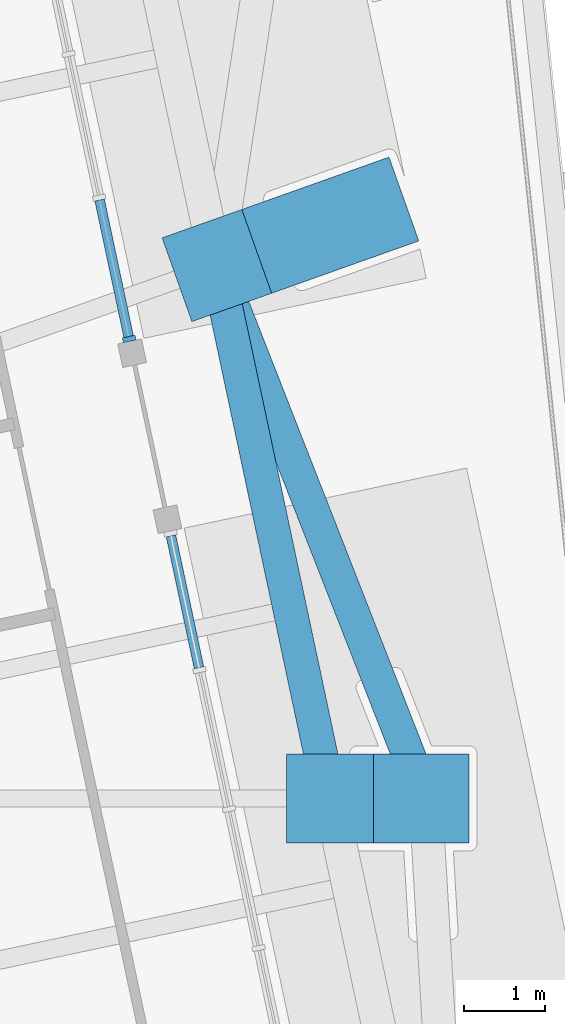
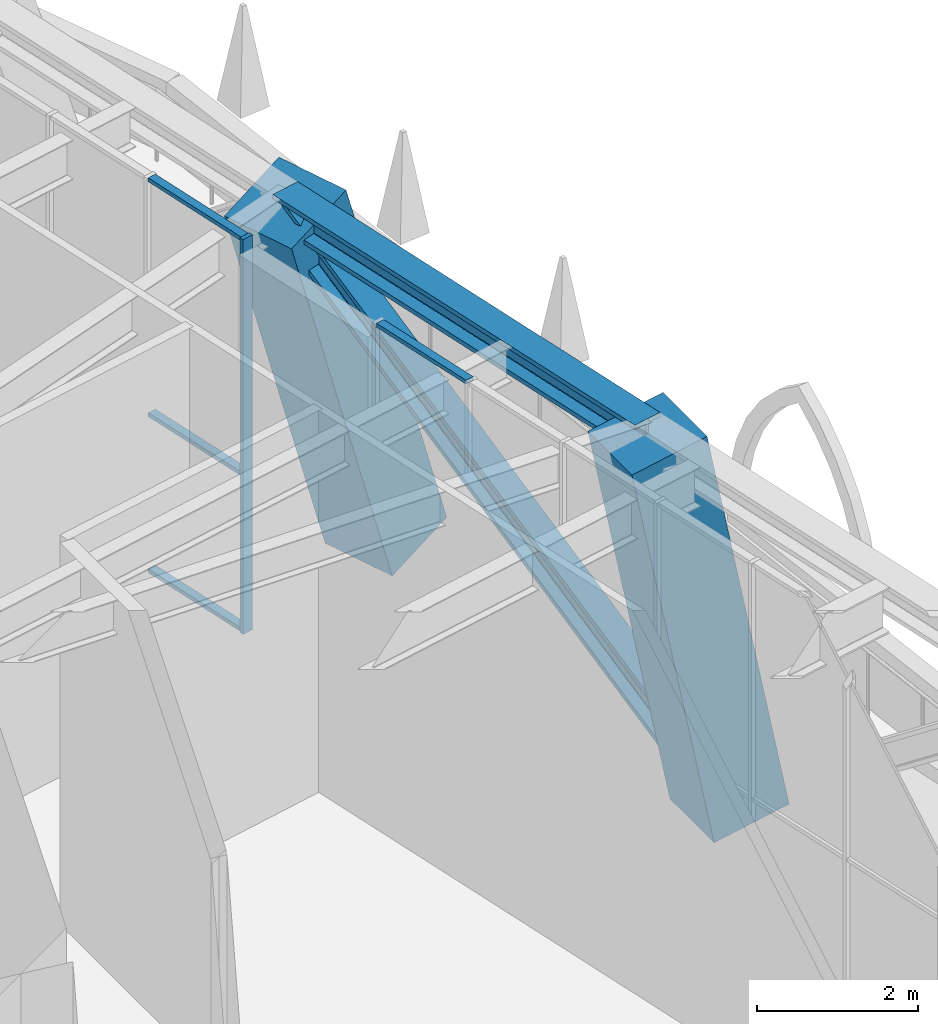
# One storey, part 7 of 23: 9 members, 2 elements without a shape of their own.
"""IFC4 building model written with IfcOpenShell, lengths in metres."""

from ifc_helpers import new_model, si_unit, direction, frame, origin, origin_2d, place, context, subcontext, project, spatial, rectangle, i_section, extrude, material, material_profile, profile_set, type_object, element, aggregate, save


model = new_model("IFC4")

# Units and contexts
model_context = context("Model", 3, precision=1e-05, world=origin(), true_north=direction((0.0, 1.0)))
body_context = subcontext(model_context, "Body", "Model", "MODEL_VIEW")
ifc_project = project(units=[si_unit("LENGTHUNIT", "METRE"), si_unit("AREAUNIT", "SQUARE_METRE"), si_unit("VOLUMEUNIT", "CUBIC_METRE"), si_unit("PLANEANGLEUNIT", "RADIAN"), si_unit("MASSUNIT", "GRAM", prefix="KILO")], contexts=[model_context])

# Site, building, storey
site_placement = place(None, origin())
site = spatial("IfcSite", under=ifc_project, at=site_placement, CompositionType="ELEMENT")
building_placement = place(site_placement, origin())
building = spatial("IfcBuilding", under=site, at=building_placement, Name="Nakasero Lantern House", CompositionType="ELEMENT")
storey_placement = place(building_placement, frame((0.0, 0.0, 95.14990234375)))
storey = spatial("IfcBuildingStorey", under=building, at=storey_placement, Name="L23", CompositionType="ELEMENT", Elevation=95.14990234375)

# Members
ifc_material_1 = material(Name="Steel S355", Category="steel")
ifc_material_profile_1 = material_profile(ifc_material_1, i_section(OverallWidth=0.41845703125, OverallDepth=0.45556640625, WebThickness=0.0419921875, FlangeThickness=0.0673828125, FilletRadius=0.01513671875, at=origin_2d()), Name="UC 356x406x551")
ifc_profile_set_1 = profile_set([ifc_material_profile_1], Name="Steel S355")
member_type_1 = type_object("IfcMemberType", Name="Belt truss chord UC 356x406x551", PredefinedType="CHORD", material=ifc_profile_set_1)
member_1_placement = place(storey_placement, frame((19.935546875, 0.0, 5.572265625), z_axis=(-0.20789299389, 0.978151574702, 0.0), x_axis=(-0.978151574702, -0.20789299389, 0.0)))
element("IfcMember", 1, at=member_1_placement, inside=storey, type_object=member_type_1, Name="Belt truss top chord T2 B3-C03T", PredefinedType="CHORD", context=body_context, shape_type="SweptSolid", body=[
    extrude(i_section(OverallWidth=0.41845703125, OverallDepth=0.45556640625, WebThickness=0.0419921875, FlangeThickness=0.0673828125, FilletRadius=0.01513671875, at=origin_2d()), origin(), (0.0, 0.0, 1.0), 6.7373046875),
])
ifc_material_2 = material(Name="Steel S355", Category="steel")
ifc_material_profile_2 = material_profile(ifc_material_2, i_section(OverallWidth=0.412109375, OverallDepth=0.4365234375, WebThickness=0.035888671875, FlangeThickness=0.05810546875, FilletRadius=0.01513671875, at=origin_2d()), Name="UC 356x406x467")
ifc_profile_set_2 = profile_set([ifc_material_profile_2], Name="Steel S355")
member_type_2 = type_object("IfcMemberType", Name="Belt truss diagonal UC 356x406x467", PredefinedType="BRACE", material=ifc_profile_set_2)
member_2_placement = place(storey_placement, frame((21.11572265625, 0.0, -0.427734375), z_axis=(-0.278150708675, 0.710256558439, 0.646658955292), x_axis=(-0.931142989974, -0.364654263958, 0.0)))
element("IfcMember", 2, at=member_2_placement, inside=storey, type_object=member_type_2, Name="Belt truss diagonal T2-03", PredefinedType="BRACE", context=body_context, shape_type="SweptSolid", body=[
    extrude(i_section(OverallWidth=0.412109375, OverallDepth=0.4365234375, WebThickness=0.035888671875, FlangeThickness=0.05810546875, FilletRadius=0.01513671875, at=origin_2d()), origin(), (0.0, 0.0, 1.0), 9.278564453125),
])

# Curtain wall, member
ifc_material_3 = material(Name="Aluminium 6063-T6 and glass", Category="aluminium")
curtain_wall_type = type_object("IfcCurtainWallType", Name="Sky lounge glazing CW-3", PredefinedType="USERDEFINED", material=ifc_material_3)
curtain_wall_1_placement = place(storey_placement, origin())
curtain_wall_1 = element("IfcCurtainWall", 3, at=curtain_wall_1_placement, inside=storey, type_object=curtain_wall_type, Name="Curtain wall CW-3 L23", ObjectType="STICK CURTAIN WALL", PredefinedType="USERDEFINED")
ifc_material_4 = material(Name="Aluminium 6063-T6", Category="aluminium")
ifc_material_profile_3 = material_profile(ifc_material_4, rectangle(XDim=0.06005859375, YDim=0.159912109375, at=origin_2d()), Name="CW-3 mullion 60x160")
ifc_profile_set_3 = profile_set([ifc_material_profile_3], Name="Aluminium 6063-T6")
member_type_3 = type_object("IfcMemberType", Name="Mullion CW-3", PredefinedType="MULLION", material=ifc_profile_set_3)
member_3_placement = place(storey_placement, frame((17.449951171875, 5.68212890625, 0.0), z_axis=(0.0, 0.0, 1.0), x_axis=(-0.207911690818, 0.978147600734, 0.0)))
member_3 = element("IfcMember", 4, at=member_3_placement, type_object=member_type_3, Name="CW-3 mullion 1", PredefinedType="MULLION", context=body_context, shape_type="SweptSolid", body=[
    extrude(rectangle(XDim=0.06005859375, YDim=0.159912109375, at=origin_2d()), origin(), (0.0, 0.0, 1.0), 6.0),
])

# Members
ifc_material_5 = material(Name="Concrete C50/60", Category="concrete")
ifc_material_profile_4 = material_profile(ifc_material_5, rectangle(XDim=1.10009765625, YDim=1.10009765625, at=origin_2d()), Name="RC 1100x1100")
ifc_profile_set_4 = profile_set([ifc_material_profile_4], Name="Concrete C50/60")
member_type_4 = type_object("IfcMemberType", Name="Raking column RC 1100x1100 C50/60", PredefinedType="STRUT", material=ifc_profile_set_4)
member_4_placement = place(storey_placement, frame((21.11572265625, 0.0, -0.427734375), z_axis=(-0.192997915508, 0.0, 0.981199166637), x_axis=(0.0, -1.0, 0.0)))
element("IfcMember", 5, at=member_4_placement, inside=storey, type_object=member_type_4, Name="Raking column B3-C03T L23", PredefinedType="STRUT", context=body_context, shape_type="SweptSolid", body=[
    extrude(rectangle(XDim=1.10009765625, YDim=1.10009765625, at=origin_2d()), origin(), (0.0, 0.0, 1.0), 6.114990234375),
])
member_5_placement = place(storey_placement, frame((20.35498046875, 7.2373046875, -0.427734375), z_axis=(-0.288748681055, -0.102679108448, 0.951882975936), x_axis=(0.335047067647, -0.942201391668, 0.0)))
element("IfcMember", 6, at=member_5_placement, inside=storey, type_object=member_type_4, Name="Raking column B3-C04T L23", PredefinedType="STRUT", context=body_context, shape_type="SweptSolid", body=[
    extrude(rectangle(XDim=1.10009765625, YDim=1.10009765625, at=origin_2d()), origin(), (0.0, 0.0, 1.0), 6.30322265625),
])

# Curtain wall, member
curtain_wall_2_placement = place(storey_placement, origin())
curtain_wall_2 = element("IfcCurtainWall", 7, at=curtain_wall_2_placement, inside=storey, type_object=curtain_wall_type, Name="Curtain wall CW-3 L23", ObjectType="STICK CURTAIN WALL", PredefinedType="USERDEFINED")
ifc_material_6 = material(Name="Aluminium 6063-T6", Category="aluminium")
ifc_material_profile_5 = material_profile(ifc_material_6, rectangle(XDim=0.06005859375, YDim=0.1201171875, at=origin_2d()), Name="CW-3 transom 60x120")
ifc_profile_set_5 = profile_set([ifc_material_profile_5], Name="Aluminium 6063-T6")
member_type_5 = type_object("IfcMemberType", Name="Transom CW-3", PredefinedType="USERDEFINED", material=ifc_profile_set_5)
member_6_placement = place(storey_placement, frame((18.314208984375, 1.615966796875, 5.97021484375), z_axis=(-0.207958591886, 0.978137630429, 0.0), x_axis=(0.0, 0.0, 1.0)))
member_6 = element("IfcMember", 8, at=member_6_placement, type_object=member_type_5, Name="CW-3 transom 7.3", ObjectType="TRANSOM", PredefinedType="USERDEFINED", context=body_context, shape_type="SweptSolid", body=[
    extrude(rectangle(XDim=0.06005859375, YDim=0.1201171875, at=origin_2d()), origin(), (0.0, 0.0, 1.0), 1.6669921875),
])
aggregate(curtain_wall_2, [member_6])

# Member
member_7_placement = place(storey_placement, frame((17.443603515625, 5.711669921875, 0.030029296875), z_axis=(-0.207877359997, 0.978154897345, 0.0), x_axis=(0.0, 0.0, 1.0)))
member_7 = element("IfcMember", 9, at=member_7_placement, type_object=member_type_5, Name="CW-3 transom 1.1", ObjectType="TRANSOM", PredefinedType="USERDEFINED", context=body_context, shape_type="SweptSolid", body=[
    extrude(rectangle(XDim=0.06005859375, YDim=0.1201171875, at=origin_2d()), origin(), (0.0, 0.0, 1.0), 1.726318359375),
])

member_8_placement = place(storey_placement, frame((17.443603515625, 5.711669921875, 2.400146484375), z_axis=(-0.207877359997, 0.978154897345, 0.0), x_axis=(0.0, 0.0, 1.0)))
member_8 = element("IfcMember", 10, at=member_8_placement, type_object=member_type_5, Name="CW-3 transom 1.2", ObjectType="TRANSOM", PredefinedType="USERDEFINED", context=body_context, shape_type="SweptSolid", body=[
    extrude(rectangle(XDim=0.06005859375, YDim=0.1201171875, at=origin_2d()), origin(), (0.0, 0.0, 1.0), 1.726318359375),
])

member_9_placement = place(storey_placement, frame((17.443603515625, 5.711669921875, 5.97021484375), z_axis=(-0.207877359997, 0.978154897345, 0.0), x_axis=(0.0, 0.0, 1.0)))
member_9 = element("IfcMember", 11, at=member_9_placement, type_object=member_type_5, Name="CW-3 transom 1.3", ObjectType="TRANSOM", PredefinedType="USERDEFINED", context=body_context, shape_type="SweptSolid", body=[
    extrude(rectangle(XDim=0.06005859375, YDim=0.1201171875, at=origin_2d()), origin(), (0.0, 0.0, 1.0), 1.726318359375),
])

aggregate(curtain_wall_1, [member_3, member_7, member_8, member_9])

save(model, "model.ifc")
